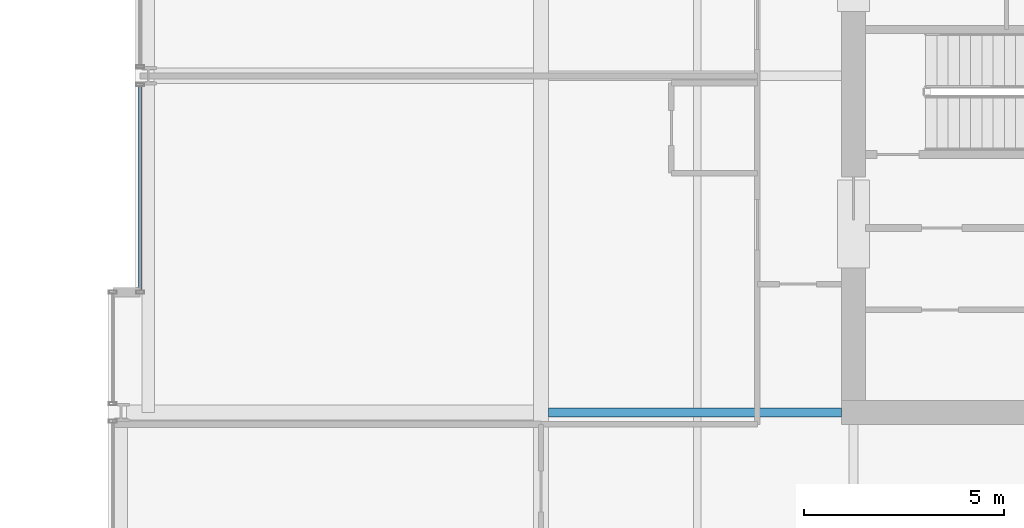
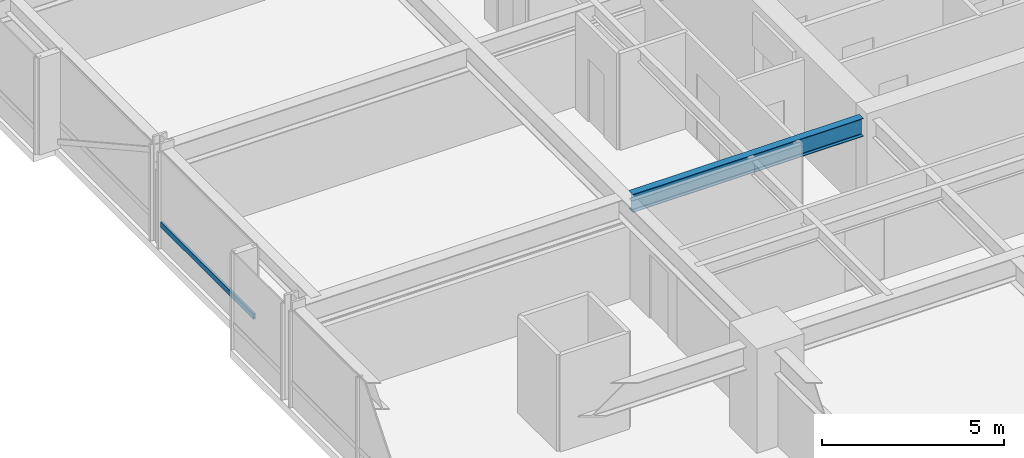
# One storey, part 8 of 34: 1 beam, 1 member, 1 element without a shape of its own.
"""IFC4 building model written with IfcOpenShell, lengths in metres."""

from ifc_helpers import new_model, si_unit, direction, frame, origin, origin_2d, place, context, subcontext, project, spatial, hollow_rectangle, i_section, extrude, material, layer, layer_set, material_profile, profile_set, type_object, element, aggregate, save


model = new_model("IFC4")

# Units and contexts
model_context = context("Model", 3, precision=1e-05, world=origin(), true_north=direction((0.0, 1.0)))
body_context = subcontext(model_context, "Body", "Model", "MODEL_VIEW")
ifc_project = project(units=[si_unit("LENGTHUNIT", "METRE"), si_unit("AREAUNIT", "SQUARE_METRE"), si_unit("VOLUMEUNIT", "CUBIC_METRE"), si_unit("PLANEANGLEUNIT", "RADIAN"), si_unit("MASSUNIT", "GRAM", prefix="KILO")], contexts=[model_context])

# Site, building, storey
site_placement = place(None, origin())
site = spatial("IfcSite", under=ifc_project, at=site_placement, CompositionType="ELEMENT")
building_placement = place(site_placement, origin())
building = spatial("IfcBuilding", under=site, at=building_placement, Name="Drelvath Grand Hotel", CompositionType="ELEMENT")
storey_placement = place(building_placement, frame((0.0, 0.0, 109.300048828125)))
storey = spatial("IfcBuildingStorey", under=building, at=storey_placement, Name="L27", CompositionType="ELEMENT", Elevation=109.300048828125)

# Curtain wall, member
ifc_material_1 = material(Name="Champagne Bronze Anodised Aluminium Frame", Category="aluminium")
ifc_layer = layer(ifc_material_1, 0.199951171875)
ifc_layer_set = layer_set([ifc_layer], Name="Champagne Bronze Anodised Aluminium Frame")
curtain_wall_type = type_object("IfcCurtainWallType", Name="Stick Curtain Wall CW-03 Champagne Bronze Mid-Rise", PredefinedType="NOTDEFINED", material=ifc_layer_set)
curtain_wall_placement = place(storey_placement, origin())
curtain_wall = element("IfcCurtainWall", 1, at=curtain_wall_placement, inside=storey, type_object=curtain_wall_type, Name="L27 CW-03 Curtain Wall CW03-L27-WM1", PredefinedType="NOTDEFINED")
ifc_material_profile_1 = material_profile(ifc_material_1, hollow_rectangle(XDim=0.074951171875, YDim=0.179931640625, WallThickness=0.0048828125, at=origin_2d()), Name="HSS180X75X5")
ifc_profile_set_1 = profile_set([ifc_material_profile_1], Name="Champagne Bronze Anodised Aluminium Frame")
member_type = type_object("IfcMemberType", Name="Curtain Wall Horizontal Transom CW-03 HSS180X75X5", PredefinedType="USERDEFINED", material=ifc_profile_set_1)
member_placement = place(storey_placement, frame((-26.199951171875, 21.639892578125, 0.81005859375), z_axis=(0.0, 1.0, 0.0), x_axis=(-1.0, 0.0, 0.0)))
member = element("IfcMember", 2, at=member_placement, type_object=member_type, Name="CW03-L27-WM1 Sill Transom", ObjectType="TRANSOM", PredefinedType="USERDEFINED", context=body_context, shape_type="SweptSolid", body=[
    extrude(hollow_rectangle(XDim=0.074951171875, YDim=0.179931640625, WallThickness=0.0048828125, at=origin_2d()), origin(), (0.0, 0.0, 1.0), 5.1005859375),
])
aggregate(curtain_wall, [member])

# Beam
ifc_material_2 = material(Name="Steel ASTM A992 Gr 50", Category="steel")
ifc_material_profile_2 = material_profile(ifc_material_2, i_section(OverallWidth=0.228271484375, OverallDepth=0.607666015625, WebThickness=0.01123046875, FlangeThickness=0.017333984375, FilletRadius=0.02001953125, at=origin_2d()), Name="W24X76")
ifc_profile_set_2 = profile_set([ifc_material_profile_2], Name="Steel ASTM A992 Gr 50")
beam_type = type_object("IfcBeamType", Name="Primary Floor Girder W24X76", PredefinedType="BEAM", material=ifc_profile_set_2)
beam_placement = place(storey_placement, frame((-16.009765625, 18.60009765625, 2.93603515625), z_axis=(1.0, 0.0, 0.0), x_axis=(0.0, 1.0, 0.0)))
element("IfcBeam", 3, at=beam_placement, inside=storey, type_object=beam_type, Name="L27 West Core Tie D", PredefinedType="BEAM", context=body_context, shape_type="SweptSolid", body=[
    extrude(i_section(OverallWidth=0.228271484375, OverallDepth=0.607666015625, WebThickness=0.01123046875, FlangeThickness=0.017333984375, FilletRadius=0.02001953125, at=origin_2d()), origin(), (0.0, 0.0, 1.0), 7.309814453125),
])

save(model, "model.ifc")
